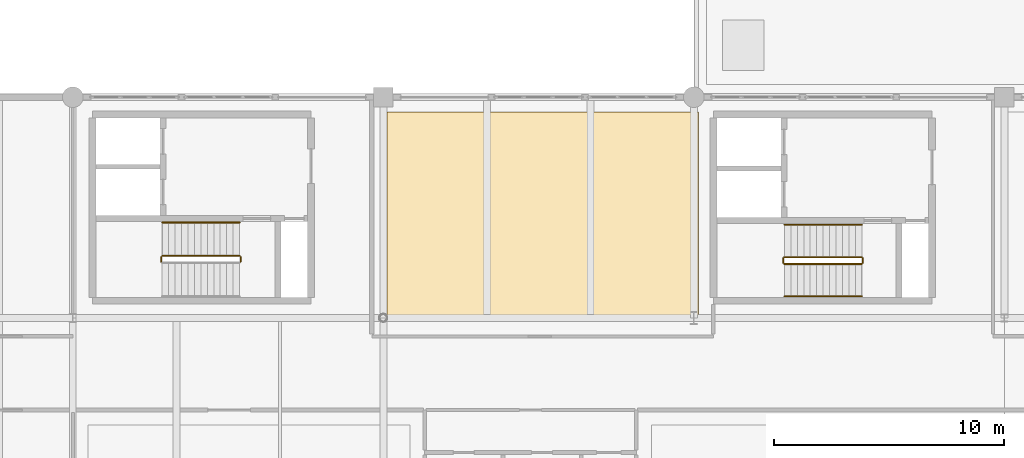
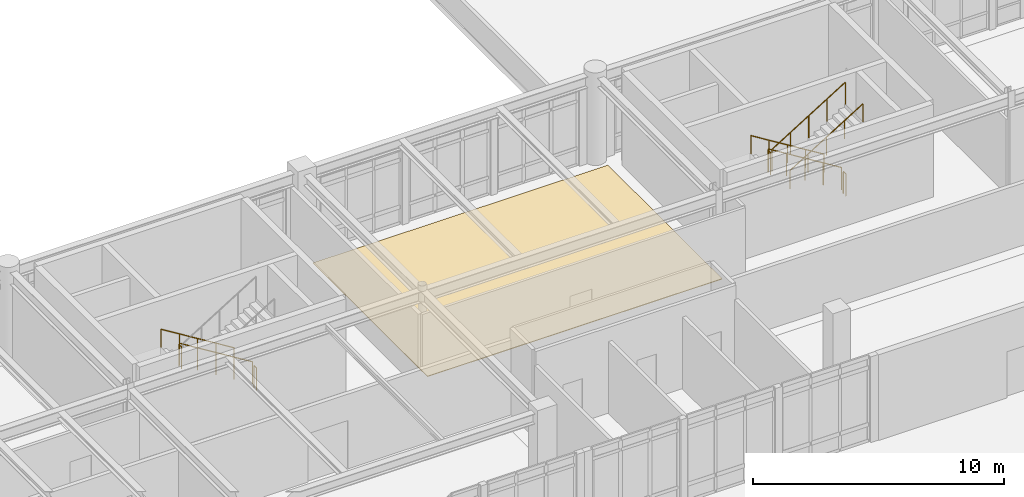
# One storey, part 52 of 55: 10 railings, 1 covering.
"""IFC4 building model written with IfcOpenShell, lengths in metres."""

from ifc_helpers import new_model, si_unit, direction, frame, origin, origin_2d, place, context, subcontext, project, spatial, polyline, circle, outline, extrude, material, layer, layer_set, type_object, element, save


model = new_model("IFC4")

# Units and contexts
model_context = context("Model", 3, precision=1e-05, world=origin(), true_north=direction((0.0, 1.0)))
body_context = subcontext(model_context, "Body", "Model", "MODEL_VIEW")
ifc_project = project(units=[si_unit("LENGTHUNIT", "METRE"), si_unit("AREAUNIT", "SQUARE_METRE"), si_unit("VOLUMEUNIT", "CUBIC_METRE"), si_unit("PLANEANGLEUNIT", "RADIAN"), si_unit("MASSUNIT", "GRAM", prefix="KILO")], contexts=[model_context])

# Site, building, storey
site_placement = place(None, origin())
site = spatial("IfcSite", under=ifc_project, at=site_placement, CompositionType="ELEMENT")
building_placement = place(site_placement, origin())
building = spatial("IfcBuilding", under=site, at=building_placement, Name="Fikremerkos Civic Library", CompositionType="ELEMENT")
storey_placement = place(building_placement, frame((0.0, 0.0, 18.89990234375)))
storey = spatial("IfcBuildingStorey", under=building, at=storey_placement, Name="L04", CompositionType="ELEMENT", Elevation=18.89990234375)

# Railings
ifc_material_1 = material(Name="Painted Steel S275", Category="steel")
railing_type_1 = type_object("IfcRailingType", Name="Interior balustrade guard RLG-INT 1100", PredefinedType="BALUSTRADE", material=ifc_material_1)
railing_1_placement = place(storey_placement, frame((26.449951171875, 24.300048828125, 0.173095703125)))
element("IfcRailing", 1, at=railing_1_placement, inside=storey, type_object=railing_type_1, Name="L04 ST-K1 stair guard 1", PredefinedType="BALUSTRADE", context=body_context, shape_type="SweptSolid", body=[
    extrude(circle(Radius=0.02392578125, at=origin_2d()), frame((0.0, 0.0, 1.076171875), z_axis=(-0.850606129759, 0.0, 0.525803396734), x_axis=(0.0, -1.0, 0.0)), (0.0, 0.0, 1.0), 3.949951171875),
    extrude(circle(Radius=0.02099609375, at=origin_2d()), origin(), (0.0, 0.0, 1.0), 1.052001953125),
    extrude(circle(Radius=0.02099609375, at=origin_2d()), frame((-0.83984375, 0.0, 0.519287109375)), (0.0, 0.0, 1.0), 1.052001953125),
    extrude(circle(Radius=0.02099609375, at=origin_2d()), frame((-1.679931640625, 0.0, 1.03857421875)), (0.0, 0.0, 1.0), 1.052001953125),
    extrude(circle(Radius=0.02099609375, at=origin_2d()), frame((-2.52001953125, 0.0, 1.5576171875)), (0.0, 0.0, 1.0), 1.052001953125),
    extrude(circle(Radius=0.02099609375, at=origin_2d()), frame((-3.35986328125, 0.0, 2.076904296875)), (0.0, 0.0, 1.0), 1.052001953125),
])
for number, where, name in (
    (2, (23.0400390625, 24.25, 2.25), "L04 ST-K1 stair guard 2"),
    (3, (26.5, 24.25, 0.0), "L04 ST-K1 stair guard 4"),
):
    element("IfcRailing", number, at=place(storey_placement, frame(where)), inside=storey, type_object=railing_type_1, Name=name, PredefinedType="BALUSTRADE", context=body_context, shape_type="SweptSolid", body=[
        extrude(circle(Radius=0.02392578125, at=origin_2d()), frame((0.0, 0.0, 1.076171875), z_axis=(0.0, -1.0, 0.0), x_axis=(1.0, 0.0, 0.0)), (0.0, 0.0, 1.0), 0.199951171875),
        extrude(circle(Radius=0.02099609375, at=origin_2d()), origin(), (0.0, 0.0, 1.0), 1.052001953125),
        extrude(circle(Radius=0.02099609375, at=origin_2d()), frame((0.0, -0.199951171875, 0.0)), (0.0, 0.0, 1.0), 1.052001953125),
    ])
railing_2_placement = place(storey_placement, frame((53.5, 24.25, 0.173095703125)))
element("IfcRailing", 4, at=railing_2_placement, inside=storey, type_object=railing_type_1, Name="L04 ST-K3 stair guard 1", PredefinedType="BALUSTRADE", context=body_context, shape_type="SweptSolid", body=[
    extrude(circle(Radius=0.02392578125, at=origin_2d()), frame((0.0, 0.0, 1.076171875), z_axis=(-0.850623216509, 0.0, 0.525775754039), x_axis=(0.0, -1.0, 0.0)), (0.0, 0.0, 1.0), 3.9501953125),
    extrude(circle(Radius=0.02099609375, at=origin_2d()), origin(), (0.0, 0.0, 1.0), 1.052001953125),
    extrude(circle(Radius=0.02099609375, at=origin_2d()), frame((-0.840087890625, 0.0, 0.519287109375)), (0.0, 0.0, 1.0), 1.052001953125),
    extrude(circle(Radius=0.02099609375, at=origin_2d()), frame((-1.68017578125, 0.0, 1.03857421875)), (0.0, 0.0, 1.0), 1.052001953125),
    extrude(circle(Radius=0.02099609375, at=origin_2d()), frame((-2.52001953125, 0.0, 1.5576171875)), (0.0, 0.0, 1.0), 1.052001953125),
    extrude(circle(Radius=0.02099609375, at=origin_2d()), frame((-3.360107421875, 0.0, 2.076904296875)), (0.0, 0.0, 1.0), 1.052001953125),
])
railing_3_placement = place(storey_placement, frame((50.090087890625, 24.199951171875, 2.25)))
element("IfcRailing", 5, at=railing_3_placement, inside=storey, type_object=railing_type_1, Name="L04 ST-K3 stair guard 2", PredefinedType="BALUSTRADE", context=body_context, shape_type="SweptSolid", body=[
    extrude(circle(Radius=0.02392578125, at=origin_2d()), frame((0.0, 0.0, 1.076171875), z_axis=(0.0, -1.0, 0.0), x_axis=(1.0, 0.0, 0.0)), (0.0, 0.0, 1.0), 0.199951171875),
    extrude(circle(Radius=0.02099609375, at=origin_2d()), origin(), (0.0, 0.0, 1.0), 1.052001953125),
    extrude(circle(Radius=0.02099609375, at=origin_2d()), frame((0.0, -0.199951171875, 0.0)), (0.0, 0.0, 1.0), 1.052001953125),
])
railing_4_placement = place(storey_placement, frame((50.139892578125, 23.949951171875, 2.423095703125)))
element("IfcRailing", 6, at=railing_4_placement, inside=storey, type_object=railing_type_1, Name="L04 ST-K3 stair guard 3", PredefinedType="BALUSTRADE", context=body_context, shape_type="SweptSolid", body=[
    extrude(circle(Radius=0.02392578125, at=origin_2d()), frame((0.0, 0.0, 1.076171875), z_axis=(0.850623216509, 0.0, 0.525775754039), x_axis=(0.0, 1.0, 0.0)), (0.0, 0.0, 1.0), 3.9501953125),
    extrude(circle(Radius=0.02099609375, at=origin_2d()), origin(), (0.0, 0.0, 1.0), 1.052001953125),
    extrude(circle(Radius=0.02099609375, at=origin_2d()), frame((0.840087890625, 0.0, 0.519287109375)), (0.0, 0.0, 1.0), 1.052001953125),
    extrude(circle(Radius=0.02099609375, at=origin_2d()), frame((1.68017578125, 0.0, 1.03857421875)), (0.0, 0.0, 1.0), 1.052001953125),
    extrude(circle(Radius=0.02099609375, at=origin_2d()), frame((2.52001953125, 0.0, 1.5576171875)), (0.0, 0.0, 1.0), 1.052001953125),
    extrude(circle(Radius=0.02099609375, at=origin_2d()), frame((3.360107421875, 0.0, 2.076904296875)), (0.0, 0.0, 1.0), 1.052001953125),
])
railing_5_placement = place(storey_placement, frame((53.550048828125, 24.199951171875, 0.0)))
element("IfcRailing", 7, at=railing_5_placement, inside=storey, type_object=railing_type_1, Name="L04 ST-K3 stair guard 4", PredefinedType="BALUSTRADE", context=body_context, shape_type="SweptSolid", body=[
    extrude(circle(Radius=0.02392578125, at=origin_2d()), frame((0.0, 0.0, 1.076171875), z_axis=(0.0, -1.0, 0.0), x_axis=(1.0, 0.0, 0.0)), (0.0, 0.0, 1.0), 0.199951171875),
    extrude(circle(Radius=0.02099609375, at=origin_2d()), origin(), (0.0, 0.0, 1.0), 1.052001953125),
    extrude(circle(Radius=0.02099609375, at=origin_2d()), frame((0.0, -0.199951171875, 0.0)), (0.0, 0.0, 1.0), 1.052001953125),
])

# Covering
ifc_material_2 = material(Name="Polished basalt terrazzo", Category="masonry")
ifc_layer = layer(ifc_material_2, 0.030029296875, Name="Polished basalt terrazzo")
ifc_layer_set = layer_set([ifc_layer], Name="Polished basalt terrazzo")
covering_type = type_object("IfcCoveringType", Name="Polished basalt terrazzo flooring FLR-01", PredefinedType="FLOORING", material=ifc_layer_set)
covering_placement = place(storey_placement, origin())
element("IfcCovering", 8, at=covering_placement, inside=storey, type_object=covering_type, Name="Terrazzo floor finish Scholars' Study Carrels", PredefinedType="FLOORING", context=body_context, shape_type="SweptSolid", body=[
    extrude(outline(polyline([(32.85009765625, 21.449951171875), (32.85009765625, 30.550048828125), (46.39990234375, 30.550048828125), (46.39990234375, 21.449951171875), (32.85009765625, 21.449951171875)])), origin(), (0.0, 0.0, 1.0), 0.030029296875),
])

# Railings
ifc_material_3 = material(Name="Brushed stainless steel", Category="steel")
railing_type_2 = type_object("IfcRailingType", Name="Wall and flight handrail HRL-01 900", PredefinedType="HANDRAIL", material=ifc_material_3)
railing_6_placement = place(storey_placement, frame((26.449951171875, 25.75, 0.173095703125)))
element("IfcRailing", 9, at=railing_6_placement, inside=storey, type_object=railing_type_2, Name="L04 ST-K1 stair handrail 1", PredefinedType="HANDRAIL", context=body_context, shape_type="SweptSolid", body=[
    extrude(circle(Radius=0.02392578125, at=origin_2d()), frame((0.0, 0.0, 0.8759765625), z_axis=(-0.850606129759, 0.0, 0.525803396734), x_axis=(0.0, -1.0, 0.0)), (0.0, 0.0, 1.0), 3.949951171875),
    extrude(circle(Radius=0.02099609375, at=origin_2d()), origin(), (0.0, 0.0, 1.0), 0.851806640625),
    extrude(circle(Radius=0.02099609375, at=origin_2d()), frame((-0.83984375, 0.0, 0.519287109375)), (0.0, 0.0, 1.0), 0.851806640625),
    extrude(circle(Radius=0.02099609375, at=origin_2d()), frame((-1.679931640625, 0.0, 1.03857421875)), (0.0, 0.0, 1.0), 0.851806640625),
    extrude(circle(Radius=0.02099609375, at=origin_2d()), frame((-2.52001953125, 0.0, 1.5576171875)), (0.0, 0.0, 1.0), 0.851806640625),
    extrude(circle(Radius=0.02099609375, at=origin_2d()), frame((-3.35986328125, 0.0, 2.076904296875)), (0.0, 0.0, 1.0), 0.851806640625),
])
railing_7_placement = place(storey_placement, frame((53.5, 25.64990234375, 0.173095703125)))
element("IfcRailing", 10, at=railing_7_placement, inside=storey, type_object=railing_type_2, Name="L04 ST-K3 stair handrail 1", PredefinedType="HANDRAIL", context=body_context, shape_type="SweptSolid", body=[
    extrude(circle(Radius=0.02392578125, at=origin_2d()), frame((0.0, 0.0, 0.8759765625), z_axis=(-0.850623216509, 0.0, 0.525775754039), x_axis=(0.0, -1.0, 0.0)), (0.0, 0.0, 1.0), 3.9501953125),
    extrude(circle(Radius=0.02099609375, at=origin_2d()), origin(), (0.0, 0.0, 1.0), 0.851806640625),
    extrude(circle(Radius=0.02099609375, at=origin_2d()), frame((-0.840087890625, 0.0, 0.519287109375)), (0.0, 0.0, 1.0), 0.851806640625),
    extrude(circle(Radius=0.02099609375, at=origin_2d()), frame((-1.68017578125, 0.0, 1.03857421875)), (0.0, 0.0, 1.0), 0.851806640625),
    extrude(circle(Radius=0.02099609375, at=origin_2d()), frame((-2.52001953125, 0.0, 1.5576171875)), (0.0, 0.0, 1.0), 0.851806640625),
    extrude(circle(Radius=0.02099609375, at=origin_2d()), frame((-3.360107421875, 0.0, 2.076904296875)), (0.0, 0.0, 1.0), 0.851806640625),
])
railing_8_placement = place(storey_placement, frame((50.139892578125, 22.550048828125, 2.423095703125)))
element("IfcRailing", 11, at=railing_8_placement, inside=storey, type_object=railing_type_2, Name="L04 ST-K3 stair handrail 2", PredefinedType="HANDRAIL", context=body_context, shape_type="SweptSolid", body=[
    extrude(circle(Radius=0.02392578125, at=origin_2d()), frame((0.0, 0.0, 0.8759765625), z_axis=(0.850623216509, 0.0, 0.525775754039), x_axis=(0.0, 1.0, 0.0)), (0.0, 0.0, 1.0), 3.9501953125),
    extrude(circle(Radius=0.02099609375, at=origin_2d()), origin(), (0.0, 0.0, 1.0), 0.851806640625),
    extrude(circle(Radius=0.02099609375, at=origin_2d()), frame((0.840087890625, 0.0, 0.519287109375)), (0.0, 0.0, 1.0), 0.851806640625),
    extrude(circle(Radius=0.02099609375, at=origin_2d()), frame((1.68017578125, 0.0, 1.03857421875)), (0.0, 0.0, 1.0), 0.851806640625),
    extrude(circle(Radius=0.02099609375, at=origin_2d()), frame((2.52001953125, 0.0, 1.5576171875)), (0.0, 0.0, 1.0), 0.851806640625),
    extrude(circle(Radius=0.02099609375, at=origin_2d()), frame((3.360107421875, 0.0, 2.076904296875)), (0.0, 0.0, 1.0), 0.851806640625),
])

save(model, "model.ifc")
